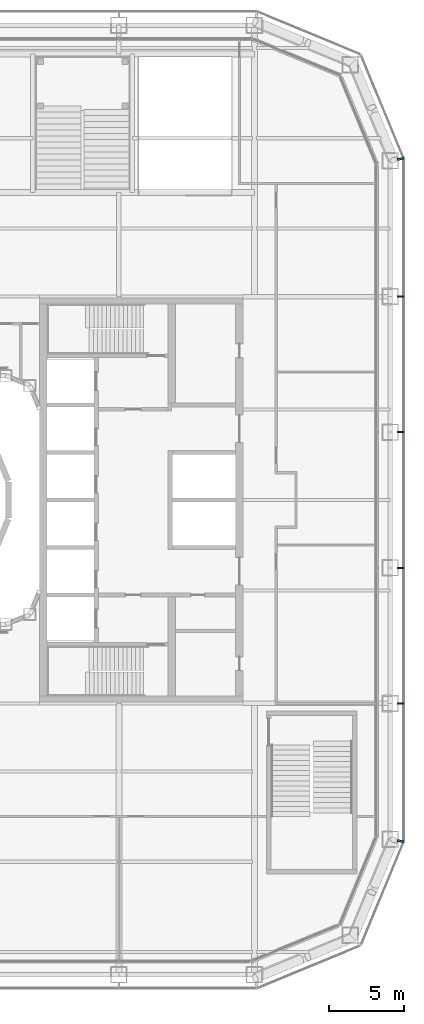
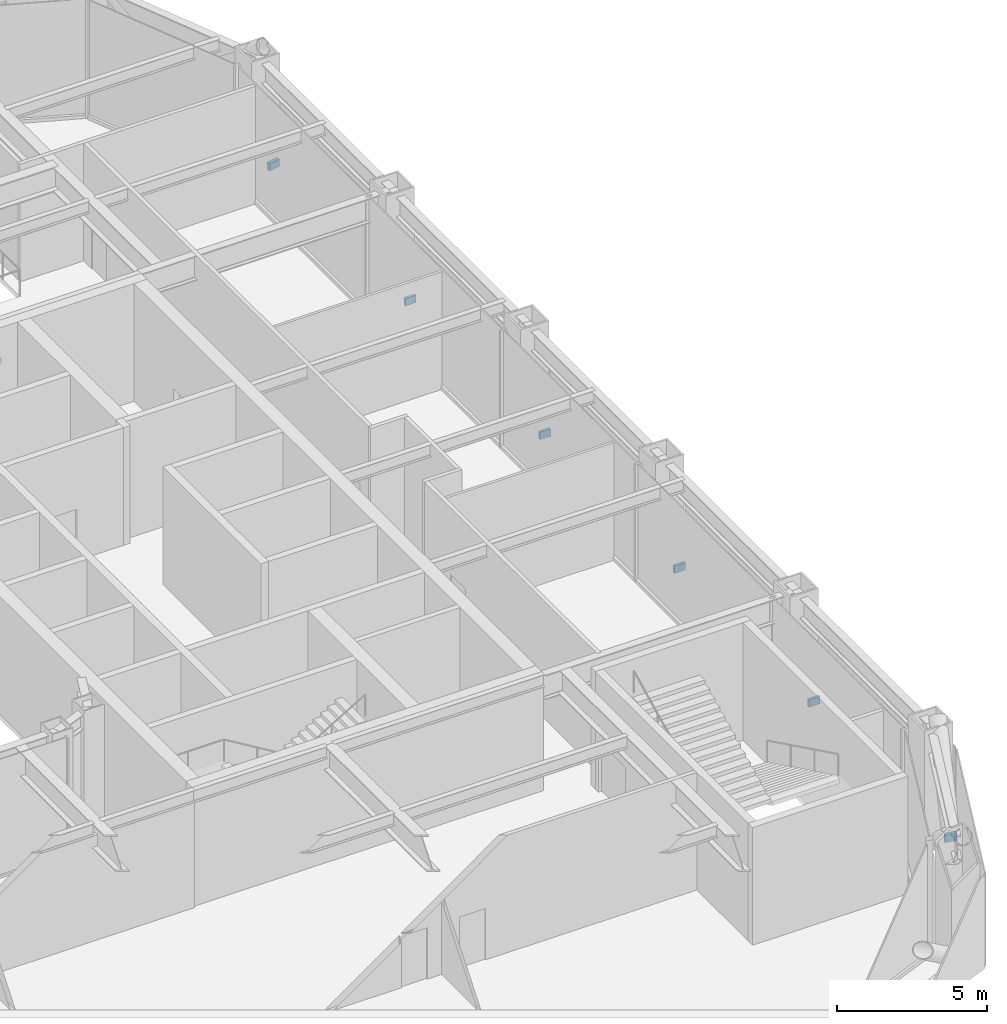
# One storey, part 19 of 25: 6 discrete accessories.
"""IFC4 building model written with IfcOpenShell, lengths in metres."""

from ifc_helpers import new_model, si_unit, direction, frame, origin, origin_2d, place, context, subcontext, project, spatial, rectangle, extrude, material, type_object, element, save


model = new_model("IFC4")

# Units and contexts
model_context = context("Model", 3, precision=1e-05, world=origin(), true_north=direction((0.0, 1.0)))
body_context = subcontext(model_context, "Body", "Model", "MODEL_VIEW")
ifc_project = project(units=[si_unit("LENGTHUNIT", "METRE"), si_unit("AREAUNIT", "SQUARE_METRE"), si_unit("VOLUMEUNIT", "CUBIC_METRE"), si_unit("PLANEANGLEUNIT", "RADIAN"), si_unit("MASSUNIT", "GRAM", prefix="KILO")], contexts=[model_context])

# Site, building, storey
site_placement = place(None, origin())
site = spatial("IfcSite", under=ifc_project, at=site_placement, CompositionType="ELEMENT")
building_placement = place(site_placement, origin())
building = spatial("IfcBuilding", under=site, at=building_placement, Name="Siwar Civic Tower", CompositionType="ELEMENT")
storey_placement = place(building_placement, frame((0.0, 0.0, 7.199951171875)))
storey = spatial("IfcBuildingStorey", under=building, at=storey_placement, Name="L01", CompositionType="ELEMENT", Elevation=7.199951171875)

# Discrete accessories
ifc_material = material(Name="Stainless steel 316", Category="steel")
discrete_accessory_type = type_object("IfcDiscreteAccessoryType", Name="ENV-BRACKET", PredefinedType="BRACKET", material=ifc_material)
for number, where, z_axis, x_axis, name in (
    (1, (32.18994140625, -13.5, -0.14990234375), (0.0, 0.0, 1.0), (1.0, 0.0, 0.0), "Bracket outer skin joint E-01"),
    (2, (32.18994140625, -4.5, -0.14990234375), (0.0, 0.0, 1.0), (1.0, 0.0, 0.0), "Bracket outer skin joint E-02"),
    (3, (32.18994140625, 4.5, -0.14990234375), (0.0, 0.0, 1.0), (1.0, 0.0, 0.0), "Bracket outer skin joint E-03"),
    (4, (32.18994140625, 13.5, -0.14990234375), (0.0, 0.0, 1.0), (1.0, 0.0, 0.0), "Bracket outer skin joint E-04"),
):
    element("IfcDiscreteAccessory", number, at=place(storey_placement, frame(where, z_axis=z_axis, x_axis=x_axis)), inside=storey, type_object=discrete_accessory_type, Name=name, PredefinedType="BRACKET", context=body_context, shape_type="SweptSolid", body=[
        extrude(rectangle(XDim=0.419921875, YDim=0.10009765625, at=origin_2d()), origin(), (0.0, 0.0, 1.0), 0.300048828125),
    ])
for number, where, z_axis, x_axis, name in (
    (5, (32.190185546875, -22.63720703125, -0.14990234375), (0.0, 0.0, 1.0), (0.980785280403, -0.195090322016, 0.0), "Bracket outer skin joint V03"),
    (6, (32.190185546875, 22.63720703125, -0.14990234375), (0.0, 0.0, 1.0), (0.980785280403, 0.195090322016, 0.0), "Bracket outer skin joint V04"),
):
    element("IfcDiscreteAccessory", number, at=place(storey_placement, frame(where, z_axis=z_axis, x_axis=x_axis)), inside=storey, type_object=discrete_accessory_type, Name=name, PredefinedType="BRACKET", context=body_context, shape_type="SweptSolid", body=[
        extrude(rectangle(XDim=0.427734375, YDim=0.13720703125, at=origin_2d()), origin(), (0.0, 0.0, 1.0), 0.300048828125),
    ])

save(model, "model.ifc")
